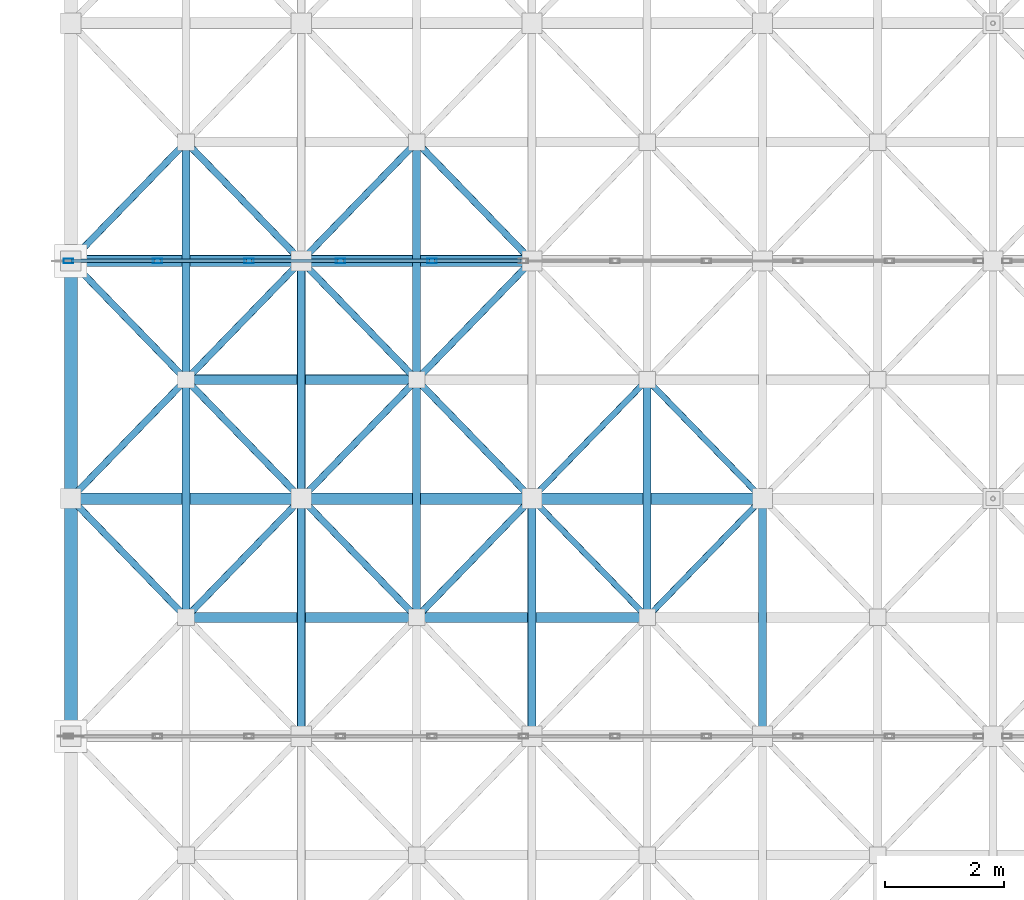
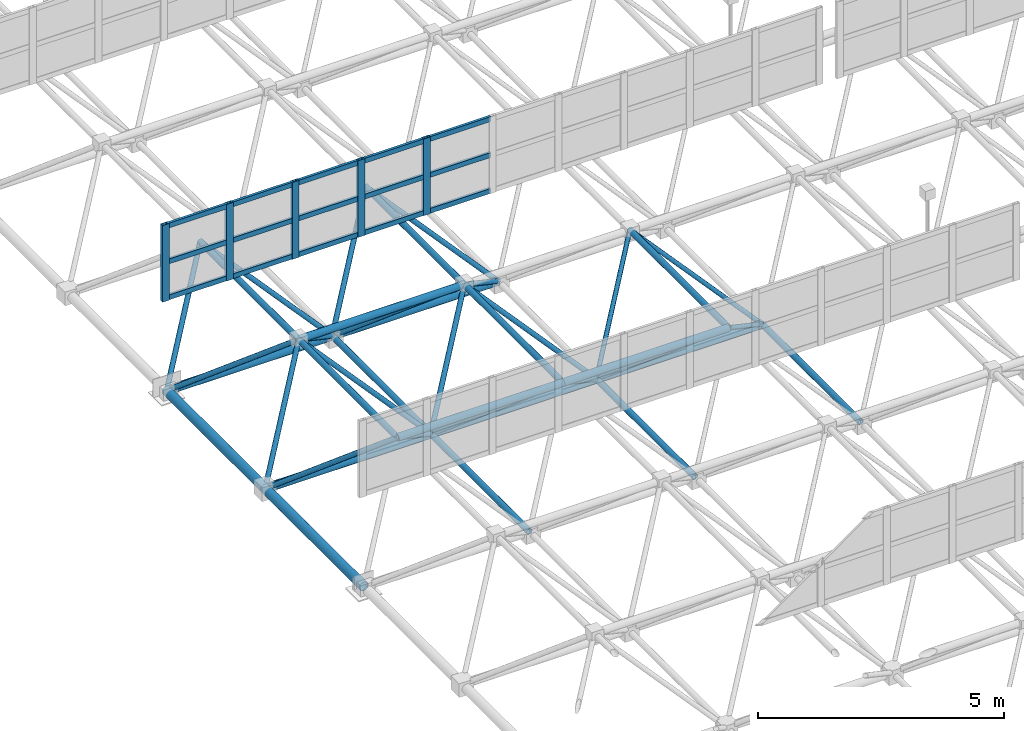
# One storey, part 55 of 195: 59 members, 1 element without a shape of its own.
"""IFC4 building model written with IfcOpenShell, lengths in metres."""

import ifcopenshell
import ifcopenshell.guid

model = None  # the IFC model being written
_history = None  # IfcOwnerHistory: only IFC2X3 demands one
_inside = {}  # id of a spatial element -> (the spatial element, [elements in it])
_under = {}  # id of a project, library or spatial element -> (it, [spatial elements below it])
_declared = {}  # id of a project -> (the project, [libraries it declares])
_typed = {}  # id of a type object -> (the type object, [elements of that type])
_made_of = {}  # id of a material, layer set ... -> (it, [elements and type objects made of it])


def new_model(schema):
    """Start an empty IFC model of exactly this schema.

    Asked for "IFC4X3", IfcOpenShell would pick the latest addendum, in which some entities
    have other attributes; the version numbers below select the first issue.
    IFC2X3 requires an IfcOwnerHistory on every rooted entity: one is made here for all.
    """
    global model, _history
    if schema == "IFC4X3":
        model = ifcopenshell.file(schema_version=(4, 3, 0, 0))
    else:
        model = ifcopenshell.file(schema=schema)
    _inside.clear()
    _under.clear()
    _declared.clear()
    _typed.clear()
    _made_of.clear()
    _history = None
    if model.schema == "IFC2X3":
        org = make("IfcOrganization", Name="unknown")
        user = make(
            "IfcPersonAndOrganization",
            ThePerson=make("IfcPerson", FamilyName="unknown"),
            TheOrganization=org,
        )
        app = make(
            "IfcApplication",
            ApplicationDeveloper=org,
            Version="unknown",
            ApplicationFullName="unknown",
            ApplicationIdentifier="unknown",
        )
        _history = make(
            "IfcOwnerHistory",
            OwningUser=user,
            OwningApplication=app,
            ChangeAction="ADDED",
            CreationDate=0,
        )
    return model


def make(cls, **values):
    """One entity of the class cls with the attributes given. An attribute that is None is left unset."""
    return model.create_entity(
        cls, **{name: value for name, value in values.items() if value is not None}
    )


def rooted(cls, **values):
    """An entity with a GlobalId (a new one), such as an element, a storey or a relation."""
    return make(cls, GlobalId=ifcopenshell.guid.new(), OwnerHistory=_history, **values)


def si_unit(unit_type, name, prefix=None):
    """IfcSIUnit, for example si_unit("LENGTHUNIT", "METRE", prefix="MILLI")."""
    return make("IfcSIUnit", UnitType=unit_type, Prefix=prefix, Name=name)


def assignment(units):
    """IfcUnitAssignment: the units of a project."""
    return None if units is None else make("IfcUnitAssignment", Units=units)


def point(xyz):
    """IfcCartesianPoint."""
    return None if xyz is None else make("IfcCartesianPoint", Coordinates=xyz)


def direction(xyz):
    """IfcDirection."""
    return None if xyz is None else make("IfcDirection", DirectionRatios=xyz)


def frame(location, z_axis=None, x_axis=None):
    """IfcAxis2Placement3D, a coordinate frame: its origin and axes. An axis left out is left unset."""
    return make(
        "IfcAxis2Placement3D",
        Location=point(location),
        Axis=direction(z_axis),
        RefDirection=direction(x_axis),
    )


def frame_2d(location, x_axis=None):
    """IfcAxis2Placement2D, a coordinate frame in the plane: its origin and x axis."""
    return make(
        "IfcAxis2Placement2D", Location=point(location), RefDirection=direction(x_axis)
    )


def origin():
    """The frame at (0, 0, 0) with its axes left unset."""
    return frame((0.0, 0.0, 0.0))


def origin_2d():
    """The frame at (0, 0) in the plane with its x axis left unset."""
    return frame_2d((0.0, 0.0))


def place(relative_to, where):
    """IfcLocalPlacement: puts the frame where relative to a parent placement (None: the world)."""
    return make(
        "IfcLocalPlacement", PlacementRelTo=relative_to, RelativePlacement=where
    )


def context(
    kind, dimensions, precision=None, world=None, true_north=None, identifier=None
):
    """IfcGeometricRepresentationContext, for example the 3D "Model" context."""
    return make(
        "IfcGeometricRepresentationContext",
        ContextIdentifier=identifier,
        ContextType=kind,
        CoordinateSpaceDimension=dimensions,
        Precision=precision,
        WorldCoordinateSystem=world,
        TrueNorth=true_north,
    )


def subcontext(parent, identifier, kind, view, scale=None):
    """IfcGeometricRepresentationSubContext, for example "Body" below "Model"."""
    return make(
        "IfcGeometricRepresentationSubContext",
        ContextIdentifier=identifier,
        ContextType=kind,
        ParentContext=parent,
        TargetScale=scale,
        TargetView=view,
    )


def project(units=None, contexts=None):
    """IfcProject with its units and contexts."""
    return rooted(
        "IfcProject",
        Name="project",
        RepresentationContexts=contexts,
        UnitsInContext=assignment(units),
    )


def spatial(cls, under=None, at=None, **own):
    """A site, building, storey or space (cls), placed at a placement, below another one or the project."""
    s = rooted(cls, ObjectPlacement=at, **own)
    if under is not None:
        _under.setdefault(under.id(), (under, []))[1].append(s)
    return s


def profile(cls, at=None, kind="AREA", **sizes):
    """A parametric profile (cls). Its sizes go by their IFC names, for example OverallWidth=200.0."""
    return make(cls, ProfileType=kind, Position=at, **sizes)


def hollow_rectangle(**sizes):
    """IfcRectangleHollowProfileDef."""
    return profile("IfcRectangleHollowProfileDef", **sizes)


def hollow_circle(**sizes):
    """IfcCircleHollowProfileDef."""
    return profile("IfcCircleHollowProfileDef", **sizes)


def extrude(swept, where, along, depth):
    """IfcExtrudedAreaSolid: the profile swept, set in the frame where, extruded along a direction by depth."""
    return make(
        "IfcExtrudedAreaSolid",
        SweptArea=swept,
        Position=where,
        ExtrudedDirection=direction(along),
        Depth=depth,
    )


def shape(context_of_items, identifier, shape_type, items):
    """IfcShapeRepresentation: the items that make up one representation, for example the "Body"."""
    return make(
        "IfcShapeRepresentation",
        ContextOfItems=context_of_items,
        RepresentationIdentifier=identifier,
        RepresentationType=shape_type,
        Items=items,
    )


def material(Name=None, Category=None):
    """IfcMaterial."""
    return make("IfcMaterial", Name=Name, Category=Category)


def material_profile(
    of_material, cross_section, Name=None, Category=None, Priority=None
):
    """IfcMaterialProfile: a cross section and its material."""
    return make(
        "IfcMaterialProfile",
        Name=Name,
        Material=of_material,
        Profile=cross_section,
        Priority=Priority,
        Category=Category,
    )


def profile_set(profiles, Name=None, composite=None):
    """IfcMaterialProfileSet."""
    return make(
        "IfcMaterialProfileSet",
        Name=Name,
        MaterialProfiles=profiles,
        CompositeProfile=composite,
    )


def made_of(thing, what):
    """Note that an element or type object is made of a material, layer set ...; save() writes the relation."""
    if what is not None:
        _made_of.setdefault(what.id(), (what, []))[1].append(thing)
    return thing


def type_object(cls, material=None, **own):
    """A type object (cls), such as IfcWallType, which elements share."""
    return made_of(rooted(cls, **own), material)


def element(
    cls,
    number,
    at=None,
    inside=None,
    cuts=None,
    type_object=None,
    material=None,
    context=None,
    identifier="Body",
    shape_type=None,
    held_by="IfcProductDefinitionShape",
    body=None,
    shapes=None,
    **own,
):
    """One element of the class cls, such as IfcWall. Its Tag is "e" and its number.

    at: its placement. inside: the storey or other place that contains it. cuts: it is an
    opening in that element (IfcRelVoidsElement). A single representation is given by context,
    identifier, shape_type and body (its items); several are given by shapes. held_by: the class
    of the entity that holds the representations. save() writes the other relations.
    """
    e = rooted(cls, Tag="e%d" % number, ObjectPlacement=at, **own)
    if body is not None:
        shapes = [shape(context, identifier, shape_type, body)]
    if shapes is not None:
        e.Representation = make(held_by, Representations=shapes)
    if inside is not None:
        _inside.setdefault(inside.id(), (inside, []))[1].append(e)
    if cuts is not None:
        rooted(
            "IfcRelVoidsElement", RelatingBuildingElement=cuts, RelatedOpeningElement=e
        )
    if type_object is not None:
        _typed.setdefault(type_object.id(), (type_object, []))[1].append(e)
    return made_of(e, material)


def aggregate(whole, parts):
    """IfcRelAggregates: a whole, such as a stair, and the parts it consists of."""
    return rooted("IfcRelAggregates", RelatingObject=whole, RelatedObjects=parts)


def save(model, path):
    """Write the relations noted so far, then the file.

    IfcRelAggregates (storeys below a building ...), IfcRelContainedInSpatialStructure (elements
    in a storey), IfcRelDefinesByType, IfcRelAssociatesMaterial and IfcRelDeclares: one each for
    every whole, place, type object, material and project.
    """
    for whole, parts in _under.values():
        aggregate(whole, parts)
    for where, things in _inside.values():
        rooted(
            "IfcRelContainedInSpatialStructure",
            RelatedElements=things,
            RelatingStructure=where,
        )
    for kind, things in _typed.values():
        rooted("IfcRelDefinesByType", RelatedObjects=things, RelatingType=kind)
    for what, things in _made_of.values():
        rooted("IfcRelAssociatesMaterial", RelatedObjects=things, RelatingMaterial=what)
    for by, libraries in _declared.values():
        rooted("IfcRelDeclares", RelatingContext=by, RelatedDefinitions=libraries)
    model.write(path)


model = new_model("IFC4")

# Units and contexts
model_context = context("Model", 3, precision=1e-05, world=origin(), true_north=direction((0.0, 1.0)))
body_context = subcontext(model_context, "Body", "Model", "MODEL_VIEW")
ifc_project = project(units=[si_unit("LENGTHUNIT", "METRE"), si_unit("AREAUNIT", "SQUARE_METRE"), si_unit("VOLUMEUNIT", "CUBIC_METRE"), si_unit("PLANEANGLEUNIT", "RADIAN"), si_unit("MASSUNIT", "GRAM", prefix="KILO")], contexts=[model_context])

# Site, building, storey
site_placement = place(None, origin())
site = spatial("IfcSite", under=ifc_project, at=site_placement, CompositionType="ELEMENT")
building_placement = place(site_placement, origin())
building = spatial("IfcBuilding", under=site, at=building_placement, Name="Kharva Crest Polytechnic", CompositionType="ELEMENT")
storey_placement = place(building_placement, frame((0.0, 0.0, 9.0)))
storey = spatial("IfcBuildingStorey", under=building, at=storey_placement, Name="L02", CompositionType="ELEMENT", Elevation=9.0)

# Curtain wall, members
ifc_material_1 = material(Name="Tempered insulated glass", Category="glass")
curtain_wall_type = type_object("IfcCurtainWallType", Name="CW-SYS-NORTHLIGHT", PredefinedType="USERDEFINED", material=ifc_material_1)
curtain_wall_placement = place(storey_placement, origin())
curtain_wall = element("IfcCurtainWall", 1, at=curtain_wall_placement, inside=storey, type_object=curtain_wall_type, Name="L02 Glazed Curtain Wall CW-193", ObjectType="CURTAIN WALL", PredefinedType="USERDEFINED")
ifc_material_2 = material(Name="Steel S355", Category="steel")
ifc_material_profile_1 = material_profile(ifc_material_2, hollow_rectangle(XDim=0.080078125, YDim=0.159912109375, WallThickness=0.0048828125, at=origin_2d()), Name="RHS 160X80X5.0")
ifc_profile_set_1 = profile_set([ifc_material_profile_1], Name="Steel S355")
member_type_1 = type_object("IfcMemberType", Name="CWM-RHS160X80", PredefinedType="MULLION", material=ifc_profile_set_1)
member_1_placement = place(storey_placement, frame((0.43994140625, 62.800048828125, 2.85009765625), z_axis=(0.0, 0.0, 1.0), x_axis=(0.0, 1.0, 0.0)))
member_1 = element("IfcMember", 2, at=member_1_placement, type_object=member_type_1, Name="CW-193 mullion 1", PredefinedType="MULLION", context=body_context, shape_type="SweptSolid", body=[
    extrude(hollow_rectangle(XDim=0.080078125, YDim=0.159912109375, WallThickness=0.0048828125, at=origin_2d()), origin(), (0.0, 0.0, 1.0), 1.89990234375),
])
member_2_placement = place(storey_placement, frame((1.93994140625, 62.800048828125, 2.85009765625), z_axis=(0.0, 0.0, 1.0), x_axis=(0.0, 1.0, 0.0)))
member_2 = element("IfcMember", 3, at=member_2_placement, type_object=member_type_1, Name="CW-193 mullion 2", PredefinedType="MULLION", context=body_context, shape_type="SweptSolid", body=[
    extrude(hollow_rectangle(XDim=0.080078125, YDim=0.159912109375, WallThickness=0.0048828125, at=origin_2d()), origin(), (0.0, 0.0, 1.0), 1.89990234375),
])
member_3_placement = place(storey_placement, frame((3.47998046875, 62.800048828125, 2.85009765625), z_axis=(0.0, 0.0, 1.0), x_axis=(0.0, 1.0, 0.0)))
member_3 = element("IfcMember", 4, at=member_3_placement, type_object=member_type_1, Name="CW-193 mullion 3", PredefinedType="MULLION", context=body_context, shape_type="SweptSolid", body=[
    extrude(hollow_rectangle(XDim=0.080078125, YDim=0.159912109375, WallThickness=0.0048828125, at=origin_2d()), origin(), (0.0, 0.0, 1.0), 1.89990234375),
])
member_4_placement = place(storey_placement, frame((5.02001953125, 62.800048828125, 2.85009765625), z_axis=(0.0, 0.0, 1.0), x_axis=(0.0, 1.0, 0.0)))
member_4 = element("IfcMember", 5, at=member_4_placement, type_object=member_type_1, Name="CW-193 mullion 4", PredefinedType="MULLION", context=body_context, shape_type="SweptSolid", body=[
    extrude(hollow_rectangle(XDim=0.080078125, YDim=0.159912109375, WallThickness=0.0048828125, at=origin_2d()), origin(), (0.0, 0.0, 1.0), 1.89990234375),
])
member_5_placement = place(storey_placement, frame((6.56005859375, 62.800048828125, 2.85009765625), z_axis=(0.0, 0.0, 1.0), x_axis=(0.0, 1.0, 0.0)))
member_5 = element("IfcMember", 6, at=member_5_placement, type_object=member_type_1, Name="CW-193 mullion 5", PredefinedType="MULLION", context=body_context, shape_type="SweptSolid", body=[
    extrude(hollow_rectangle(XDim=0.080078125, YDim=0.159912109375, WallThickness=0.0048828125, at=origin_2d()), origin(), (0.0, 0.0, 1.0), 1.89990234375),
])
ifc_material_profile_2 = material_profile(ifc_material_2, hollow_rectangle(XDim=0.06005859375, YDim=0.1201171875, WallThickness=0.00390625, at=origin_2d()), Name="RHS 120X60X4.0")
ifc_profile_set_2 = profile_set([ifc_material_profile_2], Name="Steel S355")
member_type_2 = type_object("IfcMemberType", Name="CWT-RHS120X60", PredefinedType="USERDEFINED", material=ifc_profile_set_2)
member_6_placement = place(storey_placement, frame((0.47998046875, 62.800048828125, 2.909912109375), z_axis=(1.0, 0.0, 0.0), x_axis=(0.0, 1.0, 0.0)))
member_6 = element("IfcMember", 7, at=member_6_placement, type_object=member_type_2, Name="CW-193 transom 1.1", ObjectType="TRANSOM", PredefinedType="USERDEFINED", context=body_context, shape_type="SweptSolid", body=[
    extrude(hollow_rectangle(XDim=0.06005859375, YDim=0.1201171875, WallThickness=0.00390625, at=origin_2d()), origin(), (0.0, 0.0, 1.0), 1.419921875),
])
member_7_placement = place(storey_placement, frame((0.47998046875, 62.800048828125, 3.800048828125), z_axis=(1.0, 0.0, 0.0), x_axis=(0.0, 1.0, 0.0)))
member_7 = element("IfcMember", 8, at=member_7_placement, type_object=member_type_2, Name="CW-193 transom 1.2", ObjectType="TRANSOM", PredefinedType="USERDEFINED", context=body_context, shape_type="SweptSolid", body=[
    extrude(hollow_rectangle(XDim=0.06005859375, YDim=0.1201171875, WallThickness=0.00390625, at=origin_2d()), origin(), (0.0, 0.0, 1.0), 1.419921875),
])
member_8_placement = place(storey_placement, frame((0.47998046875, 62.800048828125, 4.68994140625), z_axis=(1.0, 0.0, 0.0), x_axis=(0.0, 1.0, 0.0)))
member_8 = element("IfcMember", 9, at=member_8_placement, type_object=member_type_2, Name="CW-193 transom 1.3", ObjectType="TRANSOM", PredefinedType="USERDEFINED", context=body_context, shape_type="SweptSolid", body=[
    extrude(hollow_rectangle(XDim=0.06005859375, YDim=0.1201171875, WallThickness=0.00390625, at=origin_2d()), origin(), (0.0, 0.0, 1.0), 1.419921875),
])
member_9_placement = place(storey_placement, frame((1.97998046875, 62.800048828125, 2.909912109375), z_axis=(1.0, 0.0, 0.0), x_axis=(0.0, 1.0, 0.0)))
member_9 = element("IfcMember", 10, at=member_9_placement, type_object=member_type_2, Name="CW-193 transom 2.1", ObjectType="TRANSOM", PredefinedType="USERDEFINED", context=body_context, shape_type="SweptSolid", body=[
    extrude(hollow_rectangle(XDim=0.06005859375, YDim=0.1201171875, WallThickness=0.00390625, at=origin_2d()), origin(), (0.0, 0.0, 1.0), 1.4599609375),
])
member_10_placement = place(storey_placement, frame((1.97998046875, 62.800048828125, 3.800048828125), z_axis=(1.0, 0.0, 0.0), x_axis=(0.0, 1.0, 0.0)))
member_10 = element("IfcMember", 11, at=member_10_placement, type_object=member_type_2, Name="CW-193 transom 2.2", ObjectType="TRANSOM", PredefinedType="USERDEFINED", context=body_context, shape_type="SweptSolid", body=[
    extrude(hollow_rectangle(XDim=0.06005859375, YDim=0.1201171875, WallThickness=0.00390625, at=origin_2d()), origin(), (0.0, 0.0, 1.0), 1.4599609375),
])
member_11_placement = place(storey_placement, frame((1.97998046875, 62.800048828125, 4.68994140625), z_axis=(1.0, 0.0, 0.0), x_axis=(0.0, 1.0, 0.0)))
member_11 = element("IfcMember", 12, at=member_11_placement, type_object=member_type_2, Name="CW-193 transom 2.3", ObjectType="TRANSOM", PredefinedType="USERDEFINED", context=body_context, shape_type="SweptSolid", body=[
    extrude(hollow_rectangle(XDim=0.06005859375, YDim=0.1201171875, WallThickness=0.00390625, at=origin_2d()), origin(), (0.0, 0.0, 1.0), 1.4599609375),
])
member_12_placement = place(storey_placement, frame((3.52001953125, 62.800048828125, 2.909912109375), z_axis=(1.0, 0.0, 0.0), x_axis=(0.0, 1.0, 0.0)))
member_12 = element("IfcMember", 13, at=member_12_placement, type_object=member_type_2, Name="CW-193 transom 3.1", ObjectType="TRANSOM", PredefinedType="USERDEFINED", context=body_context, shape_type="SweptSolid", body=[
    extrude(hollow_rectangle(XDim=0.06005859375, YDim=0.1201171875, WallThickness=0.00390625, at=origin_2d()), origin(), (0.0, 0.0, 1.0), 1.4599609375),
])
member_13_placement = place(storey_placement, frame((3.52001953125, 62.800048828125, 3.800048828125), z_axis=(1.0, 0.0, 0.0), x_axis=(0.0, 1.0, 0.0)))
member_13 = element("IfcMember", 14, at=member_13_placement, type_object=member_type_2, Name="CW-193 transom 3.2", ObjectType="TRANSOM", PredefinedType="USERDEFINED", context=body_context, shape_type="SweptSolid", body=[
    extrude(hollow_rectangle(XDim=0.06005859375, YDim=0.1201171875, WallThickness=0.00390625, at=origin_2d()), origin(), (0.0, 0.0, 1.0), 1.4599609375),
])
member_14_placement = place(storey_placement, frame((3.52001953125, 62.800048828125, 4.68994140625), z_axis=(1.0, 0.0, 0.0), x_axis=(0.0, 1.0, 0.0)))
member_14 = element("IfcMember", 15, at=member_14_placement, type_object=member_type_2, Name="CW-193 transom 3.3", ObjectType="TRANSOM", PredefinedType="USERDEFINED", context=body_context, shape_type="SweptSolid", body=[
    extrude(hollow_rectangle(XDim=0.06005859375, YDim=0.1201171875, WallThickness=0.00390625, at=origin_2d()), origin(), (0.0, 0.0, 1.0), 1.4599609375),
])
member_15_placement = place(storey_placement, frame((5.06005859375, 62.800048828125, 2.909912109375), z_axis=(1.0, 0.0, 0.0), x_axis=(0.0, 1.0, 0.0)))
member_15 = element("IfcMember", 16, at=member_15_placement, type_object=member_type_2, Name="CW-193 transom 4.1", ObjectType="TRANSOM", PredefinedType="USERDEFINED", context=body_context, shape_type="SweptSolid", body=[
    extrude(hollow_rectangle(XDim=0.06005859375, YDim=0.1201171875, WallThickness=0.00390625, at=origin_2d()), origin(), (0.0, 0.0, 1.0), 1.4599609375),
])
member_16_placement = place(storey_placement, frame((5.06005859375, 62.800048828125, 3.800048828125), z_axis=(1.0, 0.0, 0.0), x_axis=(0.0, 1.0, 0.0)))
member_16 = element("IfcMember", 17, at=member_16_placement, type_object=member_type_2, Name="CW-193 transom 4.2", ObjectType="TRANSOM", PredefinedType="USERDEFINED", context=body_context, shape_type="SweptSolid", body=[
    extrude(hollow_rectangle(XDim=0.06005859375, YDim=0.1201171875, WallThickness=0.00390625, at=origin_2d()), origin(), (0.0, 0.0, 1.0), 1.4599609375),
])
member_17_placement = place(storey_placement, frame((5.06005859375, 62.800048828125, 4.68994140625), z_axis=(1.0, 0.0, 0.0), x_axis=(0.0, 1.0, 0.0)))
member_17 = element("IfcMember", 18, at=member_17_placement, type_object=member_type_2, Name="CW-193 transom 4.3", ObjectType="TRANSOM", PredefinedType="USERDEFINED", context=body_context, shape_type="SweptSolid", body=[
    extrude(hollow_rectangle(XDim=0.06005859375, YDim=0.1201171875, WallThickness=0.00390625, at=origin_2d()), origin(), (0.0, 0.0, 1.0), 1.4599609375),
])
member_18_placement = place(storey_placement, frame((6.60009765625, 62.800048828125, 2.909912109375), z_axis=(1.0, 0.0, 0.0), x_axis=(0.0, 1.0, 0.0)))
member_18 = element("IfcMember", 19, at=member_18_placement, type_object=member_type_2, Name="CW-193 transom 5.1", ObjectType="TRANSOM", PredefinedType="USERDEFINED", context=body_context, shape_type="SweptSolid", body=[
    extrude(hollow_rectangle(XDim=0.06005859375, YDim=0.1201171875, WallThickness=0.00390625, at=origin_2d()), origin(), (0.0, 0.0, 1.0), 1.4599609375),
])
member_19_placement = place(storey_placement, frame((6.60009765625, 62.800048828125, 3.800048828125), z_axis=(1.0, 0.0, 0.0), x_axis=(0.0, 1.0, 0.0)))
member_19 = element("IfcMember", 20, at=member_19_placement, type_object=member_type_2, Name="CW-193 transom 5.2", ObjectType="TRANSOM", PredefinedType="USERDEFINED", context=body_context, shape_type="SweptSolid", body=[
    extrude(hollow_rectangle(XDim=0.06005859375, YDim=0.1201171875, WallThickness=0.00390625, at=origin_2d()), origin(), (0.0, 0.0, 1.0), 1.4599609375),
])
member_20_placement = place(storey_placement, frame((6.60009765625, 62.800048828125, 4.68994140625), z_axis=(1.0, 0.0, 0.0), x_axis=(0.0, 1.0, 0.0)))
member_20 = element("IfcMember", 21, at=member_20_placement, type_object=member_type_2, Name="CW-193 transom 5.3", ObjectType="TRANSOM", PredefinedType="USERDEFINED", context=body_context, shape_type="SweptSolid", body=[
    extrude(hollow_rectangle(XDim=0.06005859375, YDim=0.1201171875, WallThickness=0.00390625, at=origin_2d()), origin(), (0.0, 0.0, 1.0), 1.4599609375),
])
aggregate(curtain_wall, [member_1, member_2, member_3, member_4, member_5, member_6, member_7, member_8, member_9, member_10, member_11, member_12, member_13, member_14, member_15, member_16, member_17, member_18, member_19, member_20])

# Members
ifc_material_profile_3 = material_profile(ifc_material_2, hollow_circle(Radius=0.05078125, WallThickness=0.0048828125, at=origin_2d()), Name="CHS 101.6X5.0")
ifc_profile_set_3 = profile_set([ifc_material_profile_3], Name="Steel S355")
member_type_3 = type_object("IfcMemberType", Name="MEM-CHS101", PredefinedType="BRACE", material=ifc_profile_set_3)
for number, where, z_axis, x_axis, name in (
    (22, (8.239990234375, 58.800048828125, 0.60009765625), (0.584843378742, -0.602949529154, 0.542595694449), (0.717802189577, 0.696247094528, 0.0), "Space Frame Web Diagonal 579"),
    (23, (12.1201171875, 58.800048828125, 0.60009765625), (-0.584891802813, -0.602923574763, 0.542572338032), (0.717758400015, -0.696292236929, 0.0), "Space Frame Web Diagonal 580"),
    (24, (8.239990234375, 58.800048828125, 0.60009765625), (0.584843378742, 0.602949529154, 0.542595694449), (-0.717802189577, 0.696247094528, 0.0), "Space Frame Web Diagonal 581"),
    (25, (12.1201171875, 58.800048828125, 0.60009765625), (-0.584891802813, 0.602923574763, 0.542572338032), (-0.717758400015, -0.696292236929, 0.0), "Space Frame Web Diagonal 582"),
):
    element("IfcMember", number, at=place(storey_placement, frame(where, z_axis=z_axis, x_axis=x_axis)), inside=storey, type_object=member_type_3, Name=name, PredefinedType="BRACE", context=body_context, shape_type="SweptSolid", body=[
        extrude(hollow_circle(Radius=0.05078125, WallThickness=0.0048828125, at=origin_2d()), origin(), (0.0, 0.0, 1.0), 3.317138671875),
    ])
ifc_material_profile_4 = material_profile(ifc_material_2, hollow_circle(Radius=0.05712890625, WallThickness=0.00634765625, at=origin_2d()), Name="CHS 114.3X6.3")
ifc_profile_set_4 = profile_set([ifc_material_profile_4], Name="Steel S355")
member_type_4 = type_object("IfcMemberType", Name="MEM-CHS114", PredefinedType="BRACE", material=ifc_profile_set_4)
for number, where, z_axis, x_axis, name in (
    (26, (0.47998046875, 58.800048828125, 0.60009765625), (0.584843378742, -0.602949529154, 0.542595694449), (0.717802189577, 0.696247094528, 0.0), "Space Frame Web Diagonal 467"),
    (27, (4.360107421875, 58.800048828125, 0.60009765625), (-0.584891802813, -0.602923574763, 0.542572338032), (0.717758400015, -0.696292236929, 0.0), "Space Frame Web Diagonal 468"),
    (28, (0.47998046875, 58.800048828125, 0.60009765625), (0.584843378742, 0.602949529154, 0.542595694449), (-0.717802189577, 0.696247094528, 0.0), "Space Frame Web Diagonal 469"),
    (29, (4.360107421875, 58.800048828125, 0.60009765625), (-0.584891802813, 0.602923574763, 0.542572338032), (-0.717758400015, -0.696292236929, 0.0), "Space Frame Web Diagonal 470"),
    (30, (0.47998046875, 62.800048828125, 0.60009765625), (0.584843378742, -0.602949529154, 0.542595694449), (0.717802189577, 0.696247094528, 0.0), "Space Frame Web Diagonal 471"),
    (31, (4.360107421875, 62.800048828125, 0.60009765625), (-0.584891802813, -0.602923574763, 0.542572338032), (0.717758400015, -0.696292236929, 0.0), "Space Frame Web Diagonal 472"),
    (32, (0.47998046875, 62.800048828125, 0.60009765625), (0.584843378742, 0.602949529154, 0.542595694449), (-0.717802189577, 0.696247094528, 0.0), "Space Frame Web Diagonal 473"),
    (33, (4.360107421875, 62.800048828125, 0.60009765625), (-0.584891802813, 0.602923574763, 0.542572338032), (-0.717758400015, -0.696292236929, 0.0), "Space Frame Web Diagonal 474"),
    (34, (4.360107421875, 58.800048828125, 0.60009765625), (0.584843378742, -0.602949529154, 0.542595694449), (0.717802189577, 0.696247094528, 0.0), "Space Frame Web Diagonal 523"),
    (35, (8.239990234375, 58.800048828125, 0.60009765625), (-0.584843378742, -0.602949529154, 0.542595694449), (0.717802189577, -0.696247094528, 0.0), "Space Frame Web Diagonal 524"),
    (36, (4.360107421875, 58.800048828125, 0.60009765625), (0.584843378742, 0.602949529154, 0.542595694449), (-0.717802189577, 0.696247094528, 0.0), "Space Frame Web Diagonal 525"),
    (37, (8.239990234375, 58.800048828125, 0.60009765625), (-0.584843378742, 0.602949529154, 0.542595694449), (-0.717802189577, -0.696247094528, 0.0), "Space Frame Web Diagonal 526"),
    (38, (4.360107421875, 62.800048828125, 0.60009765625), (0.584843378742, -0.602949529154, 0.542595694449), (0.717802189577, 0.696247094528, 0.0), "Space Frame Web Diagonal 527"),
    (39, (8.239990234375, 62.800048828125, 0.60009765625), (-0.584843378742, -0.602949529154, 0.542595694449), (0.717802189577, -0.696247094528, 0.0), "Space Frame Web Diagonal 528"),
    (40, (4.360107421875, 62.800048828125, 0.60009765625), (0.584843378742, 0.602949529154, 0.542595694449), (-0.717802189577, 0.696247094528, 0.0), "Space Frame Web Diagonal 529"),
    (41, (8.239990234375, 62.800048828125, 0.60009765625), (-0.584843378742, 0.602949529154, 0.542595694449), (-0.717802189577, -0.696247094528, 0.0), "Space Frame Web Diagonal 530"),
):
    element("IfcMember", number, at=place(storey_placement, frame(where, z_axis=z_axis, x_axis=x_axis)), inside=storey, type_object=member_type_4, Name=name, PredefinedType="BRACE", context=body_context, shape_type="SweptSolid", body=[
        extrude(hollow_circle(Radius=0.05712890625, WallThickness=0.00634765625, at=origin_2d()), origin(), (0.0, 0.0, 1.0), 3.317138671875),
    ])
ifc_material_profile_5 = material_profile(ifc_material_2, hollow_circle(Radius=0.06982421875, WallThickness=0.00634765625, at=origin_2d()), Name="CHS 139.7X6.3")
ifc_profile_set_5 = profile_set([ifc_material_profile_5], Name="Steel S355")
member_type_5 = type_object("IfcMemberType", Name="MEM-CHS139", PredefinedType="CHORD", material=ifc_profile_set_5)
for number, where, z_axis, x_axis, name in (
    (42, (4.360107421875, 54.800048828125, 0.60009765625), (0.0, 1.0, 0.0), (-1.0, 0.0, 0.0), "Space Frame Bottom Chord Y 139"),
    (43, (4.360107421875, 58.800048828125, 0.60009765625), (0.0, 1.0, 0.0), (-1.0, 0.0, 0.0), "Space Frame Bottom Chord Y 140"),
    (44, (8.239990234375, 54.800048828125, 0.60009765625), (0.0, 1.0, 0.0), (-1.0, 0.0, 0.0), "Space Frame Bottom Chord Y 153"),
    (45, (12.1201171875, 54.800048828125, 0.60009765625), (0.0, 1.0, 0.0), (-1.0, 0.0, 0.0), "Space Frame Bottom Chord Y 167"),
    (46, (2.419921875, 56.800048828125, 2.39990234375), (0.0, 1.0, 0.0), (-1.0, 0.0, 0.0), "Space Frame Top Chord Y 349"),
    (47, (2.419921875, 60.800048828125, 2.39990234375), (0.0, 1.0, 0.0), (-1.0, 0.0, 0.0), "Space Frame Top Chord Y 350"),
    (48, (6.300048828125, 56.800048828125, 2.39990234375), (0.0, 1.0, 0.0), (-1.0, 0.0, 0.0), "Space Frame Top Chord Y 362"),
    (49, (6.300048828125, 60.800048828125, 2.39990234375), (0.0, 1.0, 0.0), (-1.0, 0.0, 0.0), "Space Frame Top Chord Y 363"),
    (50, (10.179931640625, 56.800048828125, 2.39990234375), (0.0, 1.0, 0.0), (-1.0, 0.0, 0.0), "Space Frame Top Chord Y 375"),
):
    element("IfcMember", number, at=place(storey_placement, frame(where, z_axis=z_axis, x_axis=x_axis)), inside=storey, type_object=member_type_5, Name=name, PredefinedType="CHORD", context=body_context, shape_type="SweptSolid", body=[
        extrude(hollow_circle(Radius=0.06982421875, WallThickness=0.00634765625, at=origin_2d()), origin(), (0.0, 0.0, 1.0), 4.0),
    ])
ifc_material_profile_6 = material_profile(ifc_material_2, hollow_circle(Radius=0.084228515625, WallThickness=0.008056640625, at=origin_2d()), Name="CHS 168.3X8.0")
ifc_profile_set_6 = profile_set([ifc_material_profile_6], Name="Steel S355")
member_type_6 = type_object("IfcMemberType", Name="MEM-CHS168", PredefinedType="CHORD", material=ifc_profile_set_6)
member_21_placement = place(storey_placement, frame((2.419921875, 56.800048828125, 2.39990234375), z_axis=(1.0, 0.0, 0.0), x_axis=(0.0, 1.0, 0.0)))
element("IfcMember", 51, at=member_21_placement, inside=storey, type_object=member_type_6, Name="Space Frame Top Chord X 275", PredefinedType="CHORD", context=body_context, shape_type="SweptSolid", body=[
    extrude(hollow_circle(Radius=0.084228515625, WallThickness=0.008056640625, at=origin_2d()), origin(), (0.0, 0.0, 1.0), 3.880126953125),
])
member_22_placement = place(storey_placement, frame((6.300048828125, 56.800048828125, 2.39990234375), z_axis=(1.0, 0.0, 0.0), x_axis=(0.0, 1.0, 0.0)))
element("IfcMember", 52, at=member_22_placement, inside=storey, type_object=member_type_6, Name="Space Frame Top Chord X 276", PredefinedType="CHORD", context=body_context, shape_type="SweptSolid", body=[
    extrude(hollow_circle(Radius=0.084228515625, WallThickness=0.008056640625, at=origin_2d()), origin(), (0.0, 0.0, 1.0), 3.8798828125),
])
member_23_placement = place(storey_placement, frame((2.419921875, 60.800048828125, 2.39990234375), z_axis=(1.0, 0.0, 0.0), x_axis=(0.0, 1.0, 0.0)))
element("IfcMember", 53, at=member_23_placement, inside=storey, type_object=member_type_6, Name="Space Frame Top Chord X 282", PredefinedType="CHORD", context=body_context, shape_type="SweptSolid", body=[
    extrude(hollow_circle(Radius=0.084228515625, WallThickness=0.008056640625, at=origin_2d()), origin(), (0.0, 0.0, 1.0), 3.880126953125),
])
ifc_material_profile_7 = material_profile(ifc_material_2, hollow_circle(Radius=0.096923828125, WallThickness=0.008056640625, at=origin_2d()), Name="CHS 193.7X8.0")
ifc_profile_set_7 = profile_set([ifc_material_profile_7], Name="Steel S355")
member_type_7 = type_object("IfcMemberType", Name="MEM-CHS193", PredefinedType="CHORD", material=ifc_profile_set_7)
member_24_placement = place(storey_placement, frame((0.47998046875, 58.800048828125, 0.60009765625), z_axis=(1.0, 0.0, 0.0), x_axis=(0.0, 1.0, 0.0)))
element("IfcMember", 54, at=member_24_placement, inside=storey, type_object=member_type_7, Name="Space Frame Bottom Chord X 41", PredefinedType="CHORD", context=body_context, shape_type="SweptSolid", body=[
    extrude(hollow_circle(Radius=0.096923828125, WallThickness=0.008056640625, at=origin_2d()), origin(), (0.0, 0.0, 1.0), 3.880126953125),
])
member_25_placement = place(storey_placement, frame((4.360107421875, 58.800048828125, 0.60009765625), z_axis=(1.0, 0.0, 0.0), x_axis=(0.0, 1.0, 0.0)))
element("IfcMember", 55, at=member_25_placement, inside=storey, type_object=member_type_7, Name="Space Frame Bottom Chord X 42", PredefinedType="CHORD", context=body_context, shape_type="SweptSolid", body=[
    extrude(hollow_circle(Radius=0.096923828125, WallThickness=0.008056640625, at=origin_2d()), origin(), (0.0, 0.0, 1.0), 3.8798828125),
])
for number, where, z_axis, x_axis, name in (
    (56, (8.239990234375, 58.800048828125, 0.60009765625), (1.0, 0.0, 0.0), (0.0, 1.0, 0.0), "Space Frame Bottom Chord X 43"),
    (57, (0.47998046875, 62.800048828125, 0.60009765625), (1.0, 0.0, 0.0), (0.0, 1.0, 0.0), "Space Frame Bottom Chord X 49"),
):
    element("IfcMember", number, at=place(storey_placement, frame(where, z_axis=z_axis, x_axis=x_axis)), inside=storey, type_object=member_type_7, Name=name, PredefinedType="CHORD", context=body_context, shape_type="SweptSolid", body=[
        extrude(hollow_circle(Radius=0.096923828125, WallThickness=0.008056640625, at=origin_2d()), origin(), (0.0, 0.0, 1.0), 3.880126953125),
    ])
member_26_placement = place(storey_placement, frame((4.360107421875, 62.800048828125, 0.60009765625), z_axis=(1.0, 0.0, 0.0), x_axis=(0.0, 1.0, 0.0)))
element("IfcMember", 58, at=member_26_placement, inside=storey, type_object=member_type_7, Name="Space Frame Bottom Chord X 50", PredefinedType="CHORD", context=body_context, shape_type="SweptSolid", body=[
    extrude(hollow_circle(Radius=0.096923828125, WallThickness=0.008056640625, at=origin_2d()), origin(), (0.0, 0.0, 1.0), 3.8798828125),
])
ifc_material_profile_8 = material_profile(ifc_material_2, hollow_circle(Radius=0.109619140625, WallThickness=0.010009765625, at=origin_2d()), Name="CHS 219.1X10.0")
ifc_profile_set_8 = profile_set([ifc_material_profile_8], Name="Steel S355")
member_type_8 = type_object("IfcMemberType", Name="MEM-CHS219", PredefinedType="CHORD", material=ifc_profile_set_8)
for number, where, z_axis, x_axis, name in (
    (59, (0.47998046875, 54.800048828125, 0.60009765625), (0.0, 1.0, 0.0), (-1.0, 0.0, 0.0), "Space Frame Bottom Chord Y 125"),
    (60, (0.47998046875, 58.800048828125, 0.60009765625), (0.0, 1.0, 0.0), (-1.0, 0.0, 0.0), "Space Frame Bottom Chord Y 126"),
):
    element("IfcMember", number, at=place(storey_placement, frame(where, z_axis=z_axis, x_axis=x_axis)), inside=storey, type_object=member_type_8, Name=name, PredefinedType="CHORD", context=body_context, shape_type="SweptSolid", body=[
        extrude(hollow_circle(Radius=0.109619140625, WallThickness=0.010009765625, at=origin_2d()), origin(), (0.0, 0.0, 1.0), 4.0),
    ])

save(model, "model.ifc")
